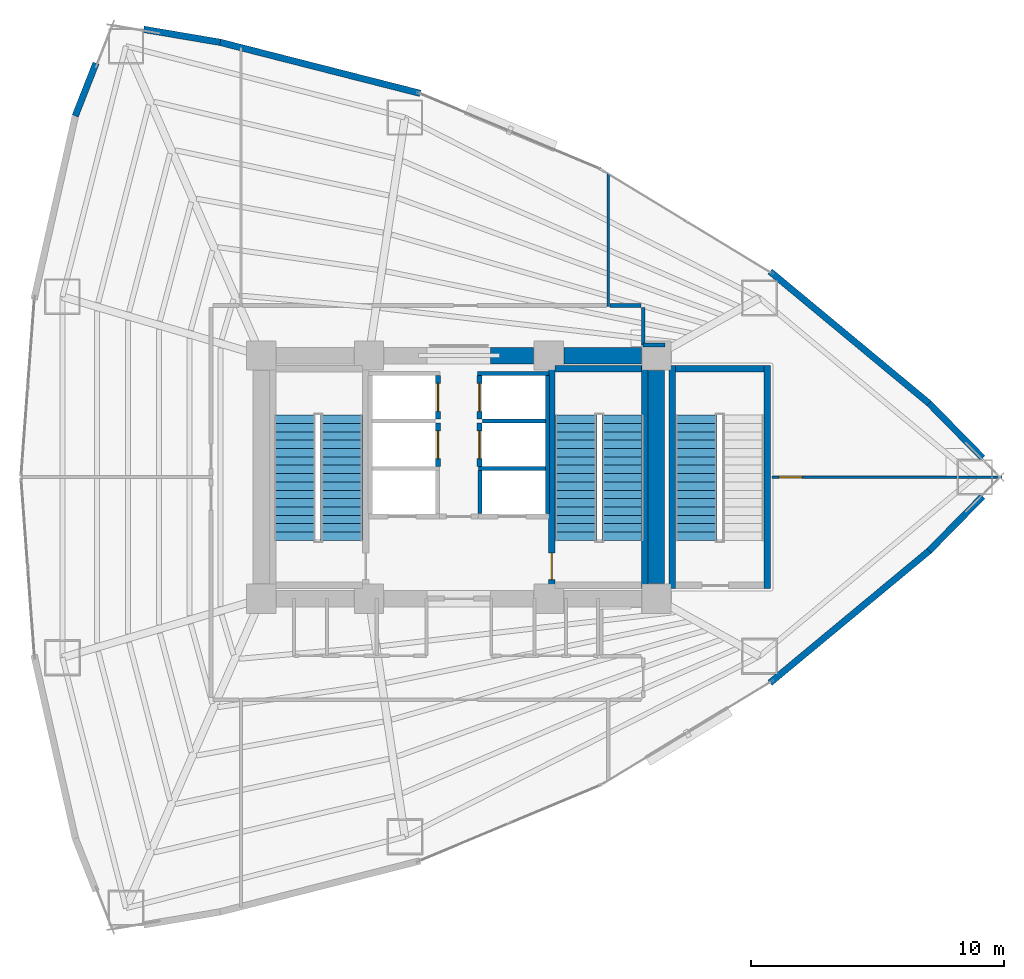
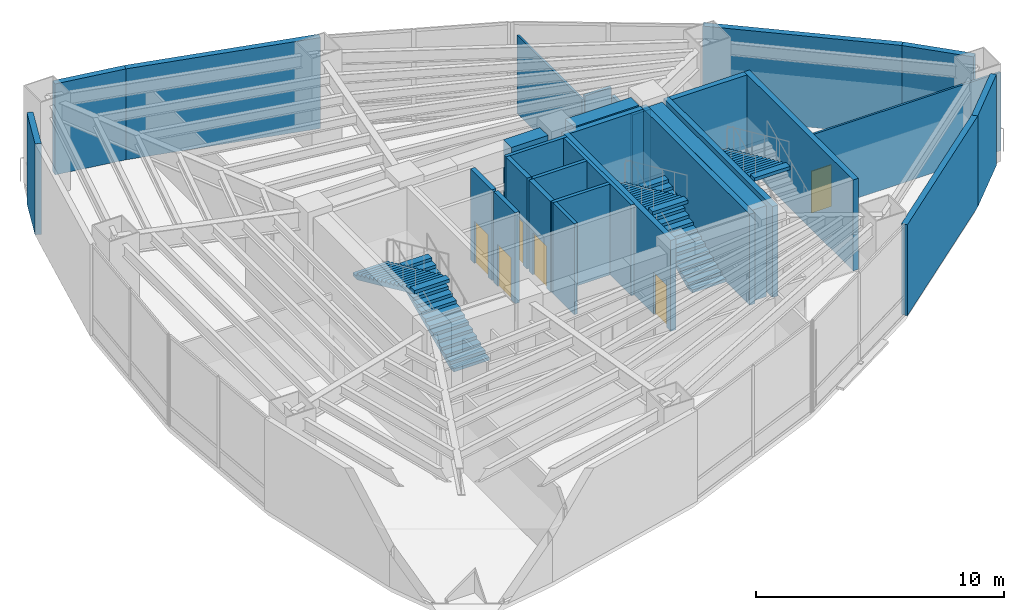
# One storey, part 15 of 18: 30 walls, 6 doors, 5 stair flights, 6 openings, 3 elements without a shape of their own.
"""IFC4 building model written with IfcOpenShell, lengths in metres."""

from ifc_helpers import new_model, si_unit, direction, frame, frame_2d, origin, place, context, subcontext, project, spatial, polyline, rectangle, outline, extrude, material, layer, layer_set, type_object, element, fill, aggregate, save


model = new_model("IFC4")

# Units and contexts
model_context = context("Model", 3, precision=1e-05, world=origin(), true_north=direction((0.0, 1.0)))
body_context = subcontext(model_context, "Body", "Model", "MODEL_VIEW")
ifc_project = project(units=[si_unit("LENGTHUNIT", "METRE"), si_unit("AREAUNIT", "SQUARE_METRE"), si_unit("VOLUMEUNIT", "CUBIC_METRE"), si_unit("PLANEANGLEUNIT", "RADIAN"), si_unit("MASSUNIT", "GRAM", prefix="KILO")], contexts=[model_context])

# Site, building, storey
site_placement = place(None, origin())
site = spatial("IfcSite", under=ifc_project, at=site_placement, CompositionType="ELEMENT")
building_placement = place(site_placement, origin())
building = spatial("IfcBuilding", under=site, at=building_placement, Name="Menara Vayukalpa", CompositionType="ELEMENT")
storey_placement = place(building_placement, frame((0.0, 0.0, 7.199951171875)))
storey = spatial("IfcBuildingStorey", under=building, at=storey_placement, Name="L01", CompositionType="ELEMENT", Elevation=7.199951171875)

# Walls
ifc_material_1 = material(Name="Concrete C80/95", Category="concrete")
ifc_layer_1 = layer(ifc_material_1, 0.64990234375)
ifc_layer_set_1 = layer_set([ifc_layer_1], Name="Concrete C80/95")
wall_type_1 = type_object("IfcWallType", Name="WAL-CW650", PredefinedType="SHEAR", material=ifc_layer_set_1)
wall_1_placement = place(storey_placement, frame((26.85009765625, 26.800048828125, 0.0), z_axis=(0.0, 0.0, 1.0), x_axis=(1.0, 0.0, 0.0)))
element("IfcWall", 1, at=wall_1_placement, inside=storey, type_object=wall_type_1, Name="L01 Buttressed Core Shear Wall CWN3", PredefinedType="SHEAR", context=body_context, shape_type="SweptSolid", body=[
    extrude(rectangle(XDim=1.704833984375, YDim=0.64990234375, at=frame_2d((0.8525390625, 0.0))), origin(), (0.0, 0.0, 1.0), 4.47998046875),
])
wall_2_placement = place(storey_placement, frame((29.7451171875, 26.800048828125, 0.0), z_axis=(0.0, 0.0, 1.0), x_axis=(1.0, 0.0, 0.0)))
element("IfcWall", 2, at=wall_2_placement, inside=storey, type_object=wall_type_1, Name="L01 Buttressed Core Shear Wall CWN4", PredefinedType="SHEAR", context=body_context, shape_type="SweptSolid", body=[
    extrude(rectangle(XDim=3.059814453125, YDim=0.64990234375, at=frame_2d((1.52978515625, 0.0))), origin(), (0.0, 0.0, 1.0), 4.47998046875),
])
wall_3_placement = place(storey_placement, frame((33.39990234375, 17.794921875, 0.0), z_axis=(0.0, 0.0, 1.0), x_axis=(0.0, 1.0, 0.0)))
element("IfcWall", 3, at=wall_3_placement, inside=storey, type_object=wall_type_1, Name="L01 Buttressed Core Shear Wall CWE1", PredefinedType="SHEAR", context=body_context, shape_type="SweptSolid", body=[
    extrude(rectangle(XDim=8.41015625, YDim=0.64990234375, at=frame_2d((4.205078125, 0.0))), origin(), (0.0, 0.0, 1.0), 4.47998046875),
])
ifc_material_2 = material(Name="Insulated Precast Concrete C40/50", Category="concrete")
ifc_layer_2 = layer(ifc_material_2, 0.260009765625)
ifc_layer_set_2 = layer_set([ifc_layer_2], Name="Insulated Precast Concrete C40/50")
wall_type_2 = type_object("IfcWallType", Name="WAL-EXT260", PredefinedType="PARTITIONING", material=ifc_layer_set_2)
for number, where, z_axis, x_axis, name in (
    (4, (46.28466796875, 21.24169921875, 0.0), (0.0, 0.0, 1.0), (-0.700577373018, -0.713576446091, 0.0), "L01 Perimeter Terracotta Pier Wall 01"),
    (5, (44.166259765625, 24.916015625, 0.0), (0.0, 0.0, 1.0), (0.700577373018, -0.713576446091, 0.0), "L01 Perimeter Terracotta Pier Wall 02"),
):
    element("IfcWall", number, at=place(storey_placement, frame(where, z_axis=z_axis, x_axis=x_axis)), inside=storey, type_object=wall_type_2, Name=name, PredefinedType="PARTITIONING", context=body_context, shape_type="SweptSolid", body=[
        extrude(rectangle(XDim=3.023681640625, YDim=0.260009765625, at=frame_2d((1.51171875, 0.0))), origin(), (0.0, 0.0, 1.0), 4.47998046875),
    ])
for number, where, z_axis, x_axis, name in (
    (6, (37.888427734375, 30.121337890625, 0.0), (0.0, 0.0, 1.0), (0.769752944783, -0.638341917782, 0.0), "L01 Perimeter Terracotta Pier Wall 03"),
    (7, (16.167724609375, 39.171142578125, 0.0), (0.0, 0.0, 1.0), (0.968981557045, -0.247133045354, 0.0), "L01 Perimeter Terracotta Pier Wall 06"),
):
    element("IfcWall", number, at=place(storey_placement, frame(where, z_axis=z_axis, x_axis=x_axis)), inside=storey, type_object=wall_type_2, Name=name, PredefinedType="PARTITIONING", context=body_context, shape_type="SweptSolid", body=[
        extrude(rectangle(XDim=8.1669921875, YDim=0.260009765625, at=frame_2d((4.08349609375, 0.0))), origin(), (0.0, 0.0, 1.0), 4.47998046875),
    ])
wall_4_placement = place(storey_placement, frame((13.158203125, 39.681396484375, 0.0), z_axis=(0.0, 0.0, 1.0), x_axis=(0.985905166387, -0.167305119144, 0.0)))
element("IfcWall", 8, at=wall_4_placement, inside=storey, type_object=wall_type_2, Name="L01 Perimeter Terracotta Pier Wall 07", PredefinedType="PARTITIONING", context=body_context, shape_type="SweptSolid", body=[
    extrude(rectangle(XDim=3.064453125, YDim=0.260009765625, at=frame_2d((1.5322265625, 0.0))), origin(), (0.0, 0.0, 1.0), 4.47998046875),
])
wall_5_placement = place(storey_placement, frame((10.4560546875, 36.2578125, 0.0), z_axis=(0.0, 0.0, 1.0), x_axis=(0.365527759733, 0.930800438797, 0.0)))
element("IfcWall", 9, at=wall_5_placement, inside=storey, type_object=wall_type_2, Name="L01 Perimeter Terracotta Pier Wall 08", PredefinedType="PARTITIONING", context=body_context, shape_type="SweptSolid", body=[
    extrude(rectangle(XDim=2.242919921875, YDim=0.260009765625, at=frame_2d((1.12158203125, 0.0))), origin(), (0.0, 0.0, 1.0), 4.47998046875),
])
wall_6_placement = place(storey_placement, frame((44.175048828125, 19.092041015625, 0.0), z_axis=(0.0, 0.0, 1.0), x_axis=(-0.769752944783, -0.638341917782, 0.0)))
element("IfcWall", 10, at=wall_6_placement, inside=storey, type_object=wall_type_2, Name="L01 Perimeter Terracotta Pier Wall 18", PredefinedType="PARTITIONING", context=body_context, shape_type="SweptSolid", body=[
    extrude(rectangle(XDim=8.1669921875, YDim=0.260009765625, at=frame_2d((4.08349609375, 0.0))), origin(), (0.0, 0.0, 1.0), 4.47998046875),
])
ifc_material_3 = material(Name="Lightweight Concrete Blockwork C16/20", Category="masonry")
ifc_layer_3 = layer(ifc_material_3, 0.159912109375)
ifc_layer_set_3 = layer_set([ifc_layer_3], Name="Lightweight Concrete Blockwork C16/20")
wall_type_3 = type_object("IfcWallType", Name="WAL-FR150", PredefinedType="PARTITIONING", material=ifc_layer_set_3)
wall_7_placement = place(storey_placement, frame((29.094970703125, 20.56005859375, 0.0), z_axis=(0.0, 0.0, 1.0), x_axis=(0.0, 1.0, 0.0)))
element("IfcWall", 11, at=wall_7_placement, inside=storey, type_object=wall_type_3, Name="L01 Interior Partition IW-L01-SHW-EE", PredefinedType="PARTITIONING", context=body_context, shape_type="SweptSolid", body=[
    extrude(rectangle(XDim=5.449951171875, YDim=0.159912109375, at=frame_2d((2.72509765625, 0.0))), origin(), (0.0, 0.0, 1.0), 4.47998046875),
])
wall_8_placement = place(storey_placement, frame((26.445068359375, 20.56005859375, 0.0), z_axis=(0.0, 0.0, 1.0), x_axis=(0.0, 1.0, 0.0)))
element("IfcWall", 12, at=wall_8_placement, inside=storey, type_object=wall_type_3, Name="L01 Interior Partition IW-L01-SHW-E1W", PredefinedType="PARTITIONING", context=body_context, shape_type="SweptSolid", body=[
    extrude(rectangle(XDim=1.7099609375, YDim=0.159912109375, at=frame_2d((0.85498046875, 0.0))), origin(), (0.0, 0.0, 1.0), 4.47998046875),
])
wall_9_placement = place(storey_placement, frame((26.3701171875, 22.344970703125, 0.0), z_axis=(0.0, 0.0, 1.0), x_axis=(1.0, 0.0, 0.0)))
element("IfcWall", 13, at=wall_9_placement, inside=storey, type_object=wall_type_3, Name="L01 Interior Partition IW-L01-SHM-E13", PredefinedType="PARTITIONING", context=body_context, shape_type="SweptSolid", body=[
    extrude(rectangle(XDim=2.64990234375, YDim=0.159912109375, at=frame_2d((1.324951171875, 0.0))), origin(), (0.0, 0.0, 1.0), 4.47998046875),
])
wall_10_placement = place(storey_placement, frame((26.530029296875, 24.215087890625, 0.0), z_axis=(0.0, 0.0, 1.0), x_axis=(1.0, 0.0, 0.0)))
element("IfcWall", 14, at=wall_10_placement, inside=storey, type_object=wall_type_3, Name="L01 Interior Partition IW-L01-SHM-E32", PredefinedType="PARTITIONING", context=body_context, shape_type="SweptSolid", body=[
    extrude(rectangle(XDim=2.489990234375, YDim=0.159912109375, at=frame_2d((1.2451171875, 0.0))), origin(), (0.0, 0.0, 1.0), 4.47998046875),
])
wall_11_placement = place(storey_placement, frame((26.340087890625, 26.0849609375, 0.0), z_axis=(0.0, 0.0, 1.0), x_axis=(1.0, 0.0, 0.0)))
element("IfcWall", 15, at=wall_11_placement, inside=storey, type_object=wall_type_3, Name="L01 Interior Partition IW-L01-SHM-E2N", PredefinedType="PARTITIONING", context=body_context, shape_type="SweptSolid", body=[
    extrude(rectangle(XDim=2.829833984375, YDim=0.159912109375, at=frame_2d((1.4150390625, 0.0))), origin(), (0.0, 0.0, 1.0), 4.47998046875),
])

# Wall, opening, door
ifc_material_4 = material(Name="Lightweight Concrete Blockwork C16/20", Category="masonry")
ifc_layer_4 = layer(ifc_material_4, 0.199951171875)
ifc_layer_set_4 = layer_set([ifc_layer_4], Name="Lightweight Concrete Blockwork C16/20")
wall_type_4 = type_object("IfcWallType", Name="WAL-FR200", PredefinedType="PARTITIONING", material=ifc_layer_set_4)
wall_12_placement = place(storey_placement, frame((24.780029296875, 22.419921875, 0.0), z_axis=(0.0, 0.0, 1.0), x_axis=(0.0, 1.0, 0.0)))
wall_12 = element("IfcWall", 16, at=wall_12_placement, inside=storey, type_object=wall_type_4, Name="L01 Interior Partition IW-L01-SH-W2", PredefinedType="PARTITIONING", context=body_context, shape_type="SweptSolid", body=[
    extrude(rectangle(XDim=1.719970703125, YDim=0.199951171875, at=frame_2d((0.85986328125, 0.0))), origin(), (0.0, 0.0, 1.0), 4.47998046875),
])
opening_1_placement = place(wall_12_placement, frame((0.31005859375, 0.0, 0.0)))
opening_1 = element("IfcOpeningElement", 17, at=opening_1_placement, cuts=wall_12, Name="Opening LD1", PredefinedType="OPENING", context=body_context, shape_type="SweptSolid", body=[
    extrude(rectangle(XDim=1.10009765625, YDim=2.080078125, at=frame_2d((0.550048828125, 1.0400390625))), frame((0.0, 0.10986328125, 0.0), z_axis=(0.0, -1.0, 0.0), x_axis=(1.0, 0.0, 0.0)), (0.0, 0.0, 1.0), 0.219970703125),
])
ifc_material_5 = material(Name="Brushed Stainless Steel 316 Lift Door", Category="steel")
door_type_1 = type_object("IfcDoorType", Name="DR-LD110", OperationType="NOTDEFINED", PredefinedType="DOOR", material=ifc_material_5)
door_1_placement = place(opening_1_placement, origin())
door_1 = element("IfcDoor", 18, at=door_1_placement, inside=storey, type_object=door_type_1, Name="L01 Interior Door DR-L01-LD-W2", OperationType="DOUBLE_DOOR_SLIDING", OverallHeight=2.080078125, OverallWidth=1.10009765625, PredefinedType="DOOR", context=body_context, shape_type="SweptSolid", body=[
    extrude(rectangle(XDim=1.10009765625, YDim=2.080078125, at=frame_2d((0.550048828125, 1.0400390625))), frame((0.0, 0.02490234375, 0.0), z_axis=(0.0, -1.0, 0.0), x_axis=(1.0, 0.0, 0.0)), (0.0, 0.0, 1.0), 0.050048828125),
])
fill(opening_1, door_1)

wall_13_placement = place(storey_placement, frame((24.780029296875, 24.2900390625, 0.0), z_axis=(0.0, 0.0, 1.0), x_axis=(0.0, 1.0, 0.0)))
wall_13 = element("IfcWall", 19, at=wall_13_placement, inside=storey, type_object=wall_type_4, Name="L01 Interior Partition IW-L01-SH-W3", PredefinedType="PARTITIONING", context=body_context, shape_type="SweptSolid", body=[
    extrude(rectangle(XDim=1.719970703125, YDim=0.199951171875, at=frame_2d((0.85986328125, 0.0))), origin(), (0.0, 0.0, 1.0), 4.47998046875),
])
opening_2_placement = place(wall_13_placement, frame((0.31005859375, 0.0, 0.0)))
opening_2 = element("IfcOpeningElement", 20, at=opening_2_placement, cuts=wall_13, Name="Opening LD1", PredefinedType="OPENING", context=body_context, shape_type="SweptSolid", body=[
    extrude(rectangle(XDim=1.10009765625, YDim=2.080078125, at=frame_2d((0.550048828125, 1.0400390625))), frame((0.0, 0.10986328125, 0.0), z_axis=(0.0, -1.0, 0.0), x_axis=(1.0, 0.0, 0.0)), (0.0, 0.0, 1.0), 0.219970703125),
])
door_2_placement = place(opening_2_placement, origin())
door_2 = element("IfcDoor", 21, at=door_2_placement, inside=storey, type_object=door_type_1, Name="L01 Interior Door DR-L01-LD-W3", OperationType="DOUBLE_DOOR_SLIDING", OverallHeight=2.080078125, OverallWidth=1.10009765625, PredefinedType="DOOR", context=body_context, shape_type="SweptSolid", body=[
    extrude(rectangle(XDim=1.10009765625, YDim=2.080078125, at=frame_2d((0.550048828125, 1.0400390625))), frame((0.0, 0.02490234375, 0.0), z_axis=(0.0, -1.0, 0.0), x_axis=(1.0, 0.0, 0.0)), (0.0, 0.0, 1.0), 0.050048828125),
])
fill(opening_2, door_2)

wall_14_placement = place(storey_placement, frame((26.419921875, 22.419921875, 0.0), z_axis=(0.0, 0.0, 1.0), x_axis=(0.0, 1.0, 0.0)))
wall_14 = element("IfcWall", 22, at=wall_14_placement, inside=storey, type_object=wall_type_4, Name="L01 Interior Partition IW-L01-SH-E3", PredefinedType="PARTITIONING", context=body_context, shape_type="SweptSolid", body=[
    extrude(rectangle(XDim=1.719970703125, YDim=0.199951171875, at=frame_2d((0.85986328125, 0.0))), origin(), (0.0, 0.0, 1.0), 4.47998046875),
])
opening_3_placement = place(wall_14_placement, frame((0.31005859375, 0.0, 0.0)))
opening_3 = element("IfcOpeningElement", 23, at=opening_3_placement, cuts=wall_14, Name="Opening LD1", PredefinedType="OPENING", context=body_context, shape_type="SweptSolid", body=[
    extrude(rectangle(XDim=1.10009765625, YDim=2.080078125, at=frame_2d((0.550048828125, 1.0400390625))), frame((0.0, 0.10986328125, 0.0), z_axis=(0.0, -1.0, 0.0), x_axis=(1.0, 0.0, 0.0)), (0.0, 0.0, 1.0), 0.219970703125),
])
door_3_placement = place(opening_3_placement, origin())
door_3 = element("IfcDoor", 24, at=door_3_placement, inside=storey, type_object=door_type_1, Name="L01 Interior Door DR-L01-LD-E3", OperationType="DOUBLE_DOOR_SLIDING", OverallHeight=2.080078125, OverallWidth=1.10009765625, PredefinedType="DOOR", context=body_context, shape_type="SweptSolid", body=[
    extrude(rectangle(XDim=1.10009765625, YDim=2.080078125, at=frame_2d((0.550048828125, 1.0400390625))), frame((0.0, 0.02490234375, 0.0), z_axis=(0.0, -1.0, 0.0), x_axis=(1.0, 0.0, 0.0)), (0.0, 0.0, 1.0), 0.050048828125),
])
fill(opening_3, door_3)

wall_15_placement = place(storey_placement, frame((26.419921875, 24.2900390625, 0.0), z_axis=(0.0, 0.0, 1.0), x_axis=(0.0, 1.0, 0.0)))
wall_15 = element("IfcWall", 25, at=wall_15_placement, inside=storey, type_object=wall_type_4, Name="L01 Interior Partition IW-L01-SH-E2", PredefinedType="PARTITIONING", context=body_context, shape_type="SweptSolid", body=[
    extrude(rectangle(XDim=1.719970703125, YDim=0.199951171875, at=frame_2d((0.85986328125, 0.0))), origin(), (0.0, 0.0, 1.0), 4.47998046875),
])
opening_4_placement = place(wall_15_placement, frame((0.31005859375, 0.0, 0.0)))
opening_4 = element("IfcOpeningElement", 26, at=opening_4_placement, cuts=wall_15, Name="Opening LD1", PredefinedType="OPENING", context=body_context, shape_type="SweptSolid", body=[
    extrude(rectangle(XDim=1.10009765625, YDim=2.080078125, at=frame_2d((0.550048828125, 1.0400390625))), frame((0.0, 0.10986328125, 0.0), z_axis=(0.0, -1.0, 0.0), x_axis=(1.0, 0.0, 0.0)), (0.0, 0.0, 1.0), 0.219970703125),
])
door_4_placement = place(opening_4_placement, origin())
door_4 = element("IfcDoor", 27, at=door_4_placement, inside=storey, type_object=door_type_1, Name="L01 Interior Door DR-L01-LD-E2", OperationType="DOUBLE_DOOR_SLIDING", OverallHeight=2.080078125, OverallWidth=1.10009765625, PredefinedType="DOOR", context=body_context, shape_type="SweptSolid", body=[
    extrude(rectangle(XDim=1.10009765625, YDim=2.080078125, at=frame_2d((0.550048828125, 1.0400390625))), frame((0.0, 0.02490234375, 0.0), z_axis=(0.0, -1.0, 0.0), x_axis=(1.0, 0.0, 0.0)), (0.0, 0.0, 1.0), 0.050048828125),
])
fill(opening_4, door_4)

# Wall
ifc_material_6 = material(Name="Glazed Demountable Office Partition", Category="glass")
ifc_layer_5 = layer(ifc_material_6, 0.094970703125)
ifc_layer_set_5 = layer_set([ifc_layer_5], Name="Glazed Demountable Office Partition")
wall_type_5 = type_object("IfcWallType", Name="WAL-PT100", PredefinedType="PARTITIONING", material=ifc_layer_set_5)
wall_16_placement = place(storey_placement, frame((31.5, 28.72998046875, 0.0), z_axis=(0.0, 0.0, 1.0), x_axis=(0.0, 1.0, 0.0)))
element("IfcWall", 28, at=wall_16_placement, inside=storey, type_object=wall_type_5, Name="L01 Interior Partition IW-L01-RDIV04", PredefinedType="PARTITIONING", context=body_context, shape_type="SweptSolid", body=[
    extrude(rectangle(XDim=5.26513671875, YDim=0.094970703125, at=frame_2d((2.632568359375, 0.0))), origin(), (0.0, 0.0, 1.0), 3.860107421875),
])

# Wall, opening, door
wall_17_placement = place(storey_placement, frame((37.9599609375, 22.0, 0.0), z_axis=(0.0, 0.0, 1.0), x_axis=(1.0, 0.0, 0.0)))
wall_17 = element("IfcWall", 29, at=wall_17_placement, inside=storey, type_object=wall_type_5, Name="L01 Interior Partition IW-L01-RDIV06", PredefinedType="PARTITIONING", context=body_context, shape_type="SweptSolid", body=[
    extrude(rectangle(XDim=9.079345703125, YDim=0.094970703125, at=frame_2d((4.53955078125, 0.0))), origin(), (0.0, 0.0, 1.0), 3.860107421875),
])
opening_5_placement = place(wall_17_placement, frame((0.280029296875, 0.0, 0.0)))
opening_5 = element("IfcOpeningElement", 30, at=opening_5_placement, cuts=wall_17, Name="Opening ID6", PredefinedType="OPENING", context=body_context, shape_type="SweptSolid", body=[
    extrude(rectangle(XDim=0.919921875, YDim=2.050048828125, at=frame_2d((0.4599609375, 1.02490234375))), frame((0.0, 0.057373046875, 0.0), z_axis=(0.0, -1.0, 0.0), x_axis=(1.0, 0.0, 0.0)), (0.0, 0.0, 1.0), 0.114990234375),
])
ifc_material_7 = material(Name="Acoustic Hardwood Veneer Timber Door", Category="wood")
door_type_2 = type_object("IfcDoorType", Name="DR-INT92", OperationType="NOTDEFINED", PredefinedType="DOOR", material=ifc_material_7)
door_5_placement = place(opening_5_placement, origin())
door_5 = element("IfcDoor", 31, at=door_5_placement, inside=storey, type_object=door_type_2, Name="L01 Interior Door DR-L01-STE05", OperationType="SINGLE_SWING_LEFT", OverallHeight=2.050048828125, OverallWidth=0.919921875, PredefinedType="DOOR", context=body_context, shape_type="SweptSolid", body=[
    extrude(rectangle(XDim=0.919921875, YDim=2.050048828125, at=frame_2d((0.4599609375, 1.02490234375))), frame((0.0, 0.02490234375, 0.0), z_axis=(0.0, -1.0, 0.0), x_axis=(1.0, 0.0, 0.0)), (0.0, 0.0, 1.0), 0.050048828125),
])
fill(opening_5, door_5)

# Walls
ifc_material_8 = material(Name="Gypsum Drywall Acoustic Stud Assembly", Category="masonry")
ifc_layer_6 = layer(ifc_material_8, 0.14501953125)
ifc_layer_set_6 = layer_set([ifc_layer_6], Name="Gypsum Drywall Acoustic Stud Assembly")
wall_type_6 = type_object("IfcWallType", Name="WAL-PT150", PredefinedType="PARTITIONING", material=ifc_layer_set_6)
wall_18_placement = place(storey_placement, frame((33.739990234375, 27.219970703125, 0.0), z_axis=(0.0, 0.0, 1.0), x_axis=(-1.0, 0.0, 0.0)))
element("IfcWall", 32, at=wall_18_placement, inside=storey, type_object=wall_type_6, Name="L01 Interior Partition IW-L01-CRM05-1", PredefinedType="PARTITIONING", context=body_context, shape_type="SweptSolid", body=[
    extrude(rectangle(XDim=0.860107421875, YDim=0.14501953125, at=frame_2d((0.43017578125, 0.0))), origin(), (0.0, 0.0, 1.0), 3.56005859375),
])
wall_19_placement = place(storey_placement, frame((32.8798828125, 27.219970703125, 0.0), z_axis=(0.0, 0.0, 1.0), x_axis=(0.0, 1.0, 0.0)))
element("IfcWall", 33, at=wall_19_placement, inside=storey, type_object=wall_type_6, Name="L01 Interior Partition IW-L01-CRM05-2", PredefinedType="PARTITIONING", context=body_context, shape_type="SweptSolid", body=[
    extrude(rectangle(XDim=1.47998046875, YDim=0.14501953125, at=frame_2d((0.739990234375, 0.0))), origin(), (0.0, 0.0, 1.0), 3.610107421875),
])
wall_20_placement = place(storey_placement, frame((32.800048828125, 28.780029296875, 0.0), z_axis=(0.0, 0.0, 1.0), x_axis=(-1.0, 0.0, 0.0)))
element("IfcWall", 34, at=wall_20_placement, inside=storey, type_object=wall_type_6, Name="L01 Interior Partition IW-L01-CRM05-3", PredefinedType="PARTITIONING", context=body_context, shape_type="SweptSolid", body=[
    extrude(rectangle(XDim=1.22998046875, YDim=0.14501953125, at=frame_2d((0.614990234375, 0.0))), origin(), (0.0, 0.0, 1.0), 4.010009765625),
])

# Wall, opening, door
ifc_material_9 = material(Name="Concrete C50/60", Category="concrete")
ifc_layer_7 = layer(ifc_material_9, 0.25)
ifc_layer_set_7 = layer_set([ifc_layer_7], Name="Concrete C50/60")
wall_type_7 = type_object("IfcWallType", Name="WAL-SW250", PredefinedType="SHEAR", material=ifc_layer_set_7)
wall_21_placement = place(storey_placement, frame((29.27490234375, 17.60009765625, 0.0), z_axis=(0.0, 0.0, 1.0), x_axis=(0.0, 1.0, 0.0)))
wall_21 = element("IfcWall", 35, at=wall_21_placement, inside=storey, type_object=wall_type_7, Name="L01 ST2 Structural Stair Shaft Wall W", PredefinedType="SHEAR", context=body_context, shape_type="SweptSolid", body=[
    extrude(rectangle(XDim=8.7998046875, YDim=0.25, at=frame_2d((4.39990234375, 0.0))), origin(), (0.0, 0.0, 1.0), 4.47998046875),
])
opening_6_placement = place(wall_21_placement, frame((0.35009765625, 0.0, 0.0)))
opening_6 = element("IfcOpeningElement", 36, at=opening_6_placement, cuts=wall_21, Name="Opening ID1", PredefinedType="OPENING", context=body_context, shape_type="SweptSolid", body=[
    extrude(rectangle(XDim=1.050048828125, YDim=2.080078125, at=frame_2d((0.52490234375, 1.0400390625))), frame((0.0, 0.135009765625, 0.0), z_axis=(0.0, -1.0, 0.0), x_axis=(1.0, 0.0, 0.0)), (0.0, 0.0, 1.0), 0.27001953125),
])
ifc_material_10 = material(Name="Fire-Rated Powder-Coated Steel Door", Category="steel")
door_type_3 = type_object("IfcDoorType", Name="DR-FD120", OperationType="NOTDEFINED", PredefinedType="DOOR", material=ifc_material_10)
door_6_placement = place(opening_6_placement, origin())
door_6 = element("IfcDoor", 37, at=door_6_placement, inside=storey, type_object=door_type_3, Name="L01 Stair Exit Door DR-L01-ST2", OperationType="SINGLE_SWING_RIGHT", OverallHeight=2.080078125, OverallWidth=1.050048828125, PredefinedType="DOOR", context=body_context, shape_type="SweptSolid", body=[
    extrude(rectangle(XDim=1.050048828125, YDim=2.080078125, at=frame_2d((0.52490234375, 1.0400390625))), frame((0.0, 0.02490234375, 0.0), z_axis=(0.0, -1.0, 0.0), x_axis=(1.0, 0.0, 0.0)), (0.0, 0.0, 1.0), 0.050048828125),
])
fill(opening_6, door_6)

# Walls
wall_22_placement = place(storey_placement, frame((32.946044921875, 17.60009765625, 0.0), z_axis=(0.0, 0.0, 1.0), x_axis=(0.0, 1.0, 0.0)))
element("IfcWall", 38, at=wall_22_placement, inside=storey, type_object=wall_type_7, Name="L01 ST2 Structural Stair Shaft Wall E", PredefinedType="SHEAR", context=body_context, shape_type="SweptSolid", body=[
    extrude(rectangle(XDim=8.7998046875, YDim=0.25, at=frame_2d((4.39990234375, 0.0))), origin(), (0.0, 0.0, 1.0), 4.47998046875),
])
wall_23_placement = place(storey_placement, frame((29.39990234375, 26.27490234375, 0.0), z_axis=(0.0, 0.0, 1.0), x_axis=(1.0, 0.0, 0.0)))
element("IfcWall", 39, at=wall_23_placement, inside=storey, type_object=wall_type_7, Name="L01 ST2 Structural Stair Shaft Wall N", PredefinedType="SHEAR", context=body_context, shape_type="SweptSolid", body=[
    extrude(rectangle(XDim=3.421142578125, YDim=0.25, at=frame_2d((1.71044921875, 0.0))), origin(), (0.0, 0.0, 1.0), 4.47998046875),
])
for number, where, z_axis, x_axis, name in (
    (40, (34.02490234375, 17.60009765625, 0.0), (0.0, 0.0, 1.0), (0.0, 1.0, 0.0), "L01 ST3 Structural Stair Shaft Wall W"),
    (41, (37.77490234375, 17.60009765625, 0.0), (0.0, 0.0, 1.0), (0.0, 1.0, 0.0), "L01 ST3 Structural Stair Shaft Wall E"),
):
    element("IfcWall", number, at=place(storey_placement, frame(where, z_axis=z_axis, x_axis=x_axis)), inside=storey, type_object=wall_type_7, Name=name, PredefinedType="SHEAR", context=body_context, shape_type="SweptSolid", body=[
        extrude(rectangle(XDim=8.7998046875, YDim=0.25, at=frame_2d((4.39990234375, 0.0))), origin(), (0.0, 0.0, 1.0), 4.47998046875),
    ])
wall_24_placement = place(storey_placement, frame((34.14990234375, 26.27490234375, 0.0), z_axis=(0.0, 0.0, 1.0), x_axis=(1.0, 0.0, 0.0)))
element("IfcWall", 42, at=wall_24_placement, inside=storey, type_object=wall_type_7, Name="L01 ST3 Structural Stair Shaft Wall N", PredefinedType="SHEAR", context=body_context, shape_type="SweptSolid", body=[
    extrude(rectangle(XDim=3.5, YDim=0.25, at=frame_2d((1.75, 0.0))), origin(), (0.0, 0.0, 1.0), 4.47998046875),
])

# Stair, stair flights
ifc_material_11 = material(Name="Precast Concrete C40/50", Category="concrete")
stair_type = type_object("IfcStairType", Name="STR-T01", PredefinedType="DOUBLE_RETURN_STAIR", material=ifc_material_11)
stair_1_placement = place(storey_placement, origin())
stair_1 = element("IfcStair", 43, at=stair_1_placement, inside=storey, type_object=stair_type, Name="L01 Core Exit Stair ST-1", PredefinedType="DOUBLE_RETURN_STAIR")
ifc_material_12 = material(Name="Precast Concrete C40/50", Category="concrete")
stair_flight_type = type_object("IfcStairFlightType", Name="STF-T01", PredefinedType="STRAIGHT", material=ifc_material_12)
stair_flight_1_placement = place(storey_placement, frame((20.97509765625, 19.5, 0.0), z_axis=(0.0, 0.0, 1.0), x_axis=(0.0, 1.0, 0.0)))
stair_flight_1 = element("IfcStairFlight", 44, at=stair_flight_1_placement, type_object=stair_flight_type, Name="ST-1 flight 1", NumberOfRisers=16, NumberOfTreads=15, PredefinedType="STRAIGHT", RiserHeight=0.15, TreadLength=0.33, context=body_context, shape_type="SweptSolid", body=[
    extrude(outline(polyline([(0.0, 0.0), (0.0, 0.14990234375), (0.330078125, 0.14990234375), (0.330078125, 0.300048828125), (0.659912109375, 0.300048828125), (0.659912109375, 0.449951171875), (0.989990234375, 0.449951171875), (0.989990234375, 0.60009765625), (1.320068359375, 0.60009765625), (1.320068359375, 0.75), (1.64990234375, 0.75), (1.64990234375, 0.89990234375), (1.97998046875, 0.89990234375), (1.97998046875, 1.050048828125), (2.31005859375, 1.050048828125), (2.31005859375, 1.199951171875), (2.639892578125, 1.199951171875), (2.639892578125, 1.35009765625), (2.969970703125, 1.35009765625), (2.969970703125, 1.5), (3.300048828125, 1.5), (3.300048828125, 1.64990234375), (3.6298828125, 1.64990234375), (3.6298828125, 1.800048828125), (3.9599609375, 1.800048828125), (3.9599609375, 1.949951171875), (4.2900390625, 1.949951171875), (4.2900390625, 2.10009765625), (4.6201171875, 2.10009765625), (4.6201171875, 2.25), (4.949951171875, 2.25), (4.949951171875, 2.39990234375), (4.949951171875, 2.08544921875), (0.3623046875, 0.0), (0.0, 0.0)])), frame((0.0, 0.824951171875, 0.0), z_axis=(0.0, -1.0, 0.0), x_axis=(1.0, 0.0, 0.0)), (0.0, 0.0, 1.0), 1.64990234375),
])
stair_flight_2_placement = place(storey_placement, frame((19.125, 24.449951171875, 2.400146484375), z_axis=(0.0, 0.0, 1.0), x_axis=(0.0, -1.0, 0.0)))
stair_flight_2 = element("IfcStairFlight", 45, at=stair_flight_2_placement, type_object=stair_flight_type, Name="ST-1 flight 2", NumberOfRisers=16, NumberOfTreads=15, PredefinedType="STRAIGHT", RiserHeight=0.15, TreadLength=0.33, context=body_context, shape_type="SweptSolid", body=[
    extrude(outline(polyline([(0.0, 0.0), (0.0, 0.14990234375), (0.330078125, 0.14990234375), (0.330078125, 0.300048828125), (0.659912109375, 0.300048828125), (0.659912109375, 0.449951171875), (0.989990234375, 0.449951171875), (0.989990234375, 0.60009765625), (1.320068359375, 0.60009765625), (1.320068359375, 0.75), (1.64990234375, 0.75), (1.64990234375, 0.89990234375), (1.97998046875, 0.89990234375), (1.97998046875, 1.050048828125), (2.31005859375, 1.050048828125), (2.31005859375, 1.199951171875), (2.639892578125, 1.199951171875), (2.639892578125, 1.35009765625), (2.969970703125, 1.35009765625), (2.969970703125, 1.5), (3.300048828125, 1.5), (3.300048828125, 1.64990234375), (3.6298828125, 1.64990234375), (3.6298828125, 1.800048828125), (3.9599609375, 1.800048828125), (3.9599609375, 1.949951171875), (4.2900390625, 1.949951171875), (4.2900390625, 2.10009765625), (4.6201171875, 2.10009765625), (4.6201171875, 2.25), (4.949951171875, 2.25), (4.949951171875, 2.39990234375), (4.949951171875, 2.08544921875), (0.3623046875, 0.0), (0.0, 0.0)])), frame((0.0, 0.824951171875, 0.0), z_axis=(0.0, -1.0, 0.0), x_axis=(1.0, 0.0, 0.0)), (0.0, 0.0, 1.0), 1.64990234375),
])
aggregate(stair_1, [stair_flight_1, stair_flight_2])

stair_2_placement = place(storey_placement, origin())
stair_2 = element("IfcStair", 46, at=stair_2_placement, inside=storey, type_object=stair_type, Name="L01 Core Exit Stair ST-2", PredefinedType="DOUBLE_RETURN_STAIR")
stair_flight_3_placement = place(storey_placement, frame((32.074951171875, 19.5, 0.0), z_axis=(0.0, 0.0, 1.0), x_axis=(0.0, 1.0, 0.0)))
stair_flight_3 = element("IfcStairFlight", 47, at=stair_flight_3_placement, type_object=stair_flight_type, Name="ST-2 flight 1", NumberOfRisers=16, NumberOfTreads=15, PredefinedType="STRAIGHT", RiserHeight=0.15, TreadLength=0.33, context=body_context, shape_type="SweptSolid", body=[
    extrude(outline(polyline([(0.0, 0.0), (0.0, 0.14990234375), (0.330078125, 0.14990234375), (0.330078125, 0.300048828125), (0.659912109375, 0.300048828125), (0.659912109375, 0.449951171875), (0.989990234375, 0.449951171875), (0.989990234375, 0.60009765625), (1.320068359375, 0.60009765625), (1.320068359375, 0.75), (1.64990234375, 0.75), (1.64990234375, 0.89990234375), (1.97998046875, 0.89990234375), (1.97998046875, 1.050048828125), (2.31005859375, 1.050048828125), (2.31005859375, 1.199951171875), (2.639892578125, 1.199951171875), (2.639892578125, 1.35009765625), (2.969970703125, 1.35009765625), (2.969970703125, 1.5), (3.300048828125, 1.5), (3.300048828125, 1.64990234375), (3.6298828125, 1.64990234375), (3.6298828125, 1.800048828125), (3.9599609375, 1.800048828125), (3.9599609375, 1.949951171875), (4.2900390625, 1.949951171875), (4.2900390625, 2.10009765625), (4.6201171875, 2.10009765625), (4.6201171875, 2.25), (4.949951171875, 2.25), (4.949951171875, 2.39990234375), (4.949951171875, 2.08544921875), (0.3623046875, 0.0), (0.0, 0.0)])), frame((0.0, 0.824951171875, 0.0), z_axis=(0.0, -1.0, 0.0), x_axis=(1.0, 0.0, 0.0)), (0.0, 0.0, 1.0), 1.64990234375),
])
stair_flight_4_placement = place(storey_placement, frame((30.22509765625, 24.449951171875, 2.400146484375), z_axis=(0.0, 0.0, 1.0), x_axis=(0.0, -1.0, 0.0)))
stair_flight_4 = element("IfcStairFlight", 48, at=stair_flight_4_placement, type_object=stair_flight_type, Name="ST-2 flight 2", NumberOfRisers=16, NumberOfTreads=15, PredefinedType="STRAIGHT", RiserHeight=0.15, TreadLength=0.33, context=body_context, shape_type="SweptSolid", body=[
    extrude(outline(polyline([(0.0, 0.0), (0.0, 0.14990234375), (0.330078125, 0.14990234375), (0.330078125, 0.300048828125), (0.659912109375, 0.300048828125), (0.659912109375, 0.449951171875), (0.989990234375, 0.449951171875), (0.989990234375, 0.60009765625), (1.320068359375, 0.60009765625), (1.320068359375, 0.75), (1.64990234375, 0.75), (1.64990234375, 0.89990234375), (1.97998046875, 0.89990234375), (1.97998046875, 1.050048828125), (2.31005859375, 1.050048828125), (2.31005859375, 1.199951171875), (2.639892578125, 1.199951171875), (2.639892578125, 1.35009765625), (2.969970703125, 1.35009765625), (2.969970703125, 1.5), (3.300048828125, 1.5), (3.300048828125, 1.64990234375), (3.6298828125, 1.64990234375), (3.6298828125, 1.800048828125), (3.9599609375, 1.800048828125), (3.9599609375, 1.949951171875), (4.2900390625, 1.949951171875), (4.2900390625, 2.10009765625), (4.6201171875, 2.10009765625), (4.6201171875, 2.25), (4.949951171875, 2.25), (4.949951171875, 2.39990234375), (4.949951171875, 2.08544921875), (0.3623046875, 0.0), (0.0, 0.0)])), frame((0.0, 0.824951171875, 0.0), z_axis=(0.0, -1.0, 0.0), x_axis=(1.0, 0.0, 0.0)), (0.0, 0.0, 1.0), 1.64990234375),
])
aggregate(stair_2, [stair_flight_3, stair_flight_4])

# Stair, stair flight
stair_3_placement = place(storey_placement, origin())
stair_3 = element("IfcStair", 49, at=stair_3_placement, inside=storey, type_object=stair_type, Name="L01 Podium Exit Stair ST-3", PredefinedType="DOUBLE_RETURN_STAIR")
stair_flight_5_placement = place(storey_placement, frame((34.97509765625, 24.449951171875, 2.400146484375), z_axis=(0.0, 0.0, 1.0), x_axis=(0.0, -1.0, 0.0)))
stair_flight_5 = element("IfcStairFlight", 50, at=stair_flight_5_placement, type_object=stair_flight_type, Name="ST-3 flight 2", NumberOfRisers=16, NumberOfTreads=15, PredefinedType="STRAIGHT", RiserHeight=0.15, TreadLength=0.33, context=body_context, shape_type="SweptSolid", body=[
    extrude(outline(polyline([(0.0, 0.0), (0.0, 0.14990234375), (0.330078125, 0.14990234375), (0.330078125, 0.300048828125), (0.659912109375, 0.300048828125), (0.659912109375, 0.449951171875), (0.989990234375, 0.449951171875), (0.989990234375, 0.60009765625), (1.320068359375, 0.60009765625), (1.320068359375, 0.75), (1.64990234375, 0.75), (1.64990234375, 0.89990234375), (1.97998046875, 0.89990234375), (1.97998046875, 1.050048828125), (2.31005859375, 1.050048828125), (2.31005859375, 1.199951171875), (2.639892578125, 1.199951171875), (2.639892578125, 1.35009765625), (2.969970703125, 1.35009765625), (2.969970703125, 1.5), (3.300048828125, 1.5), (3.300048828125, 1.64990234375), (3.6298828125, 1.64990234375), (3.6298828125, 1.800048828125), (3.9599609375, 1.800048828125), (3.9599609375, 1.949951171875), (4.2900390625, 1.949951171875), (4.2900390625, 2.10009765625), (4.6201171875, 2.10009765625), (4.6201171875, 2.25), (4.949951171875, 2.25), (4.949951171875, 2.39990234375), (4.949951171875, 2.08544921875), (0.3623046875, 0.0), (0.0, 0.0)])), frame((0.0, 0.824951171875, 0.0), z_axis=(0.0, -1.0, 0.0), x_axis=(1.0, 0.0, 0.0)), (0.0, 0.0, 1.0), 1.64990234375),
])
aggregate(stair_3, [stair_flight_5])

save(model, "model.ifc")
